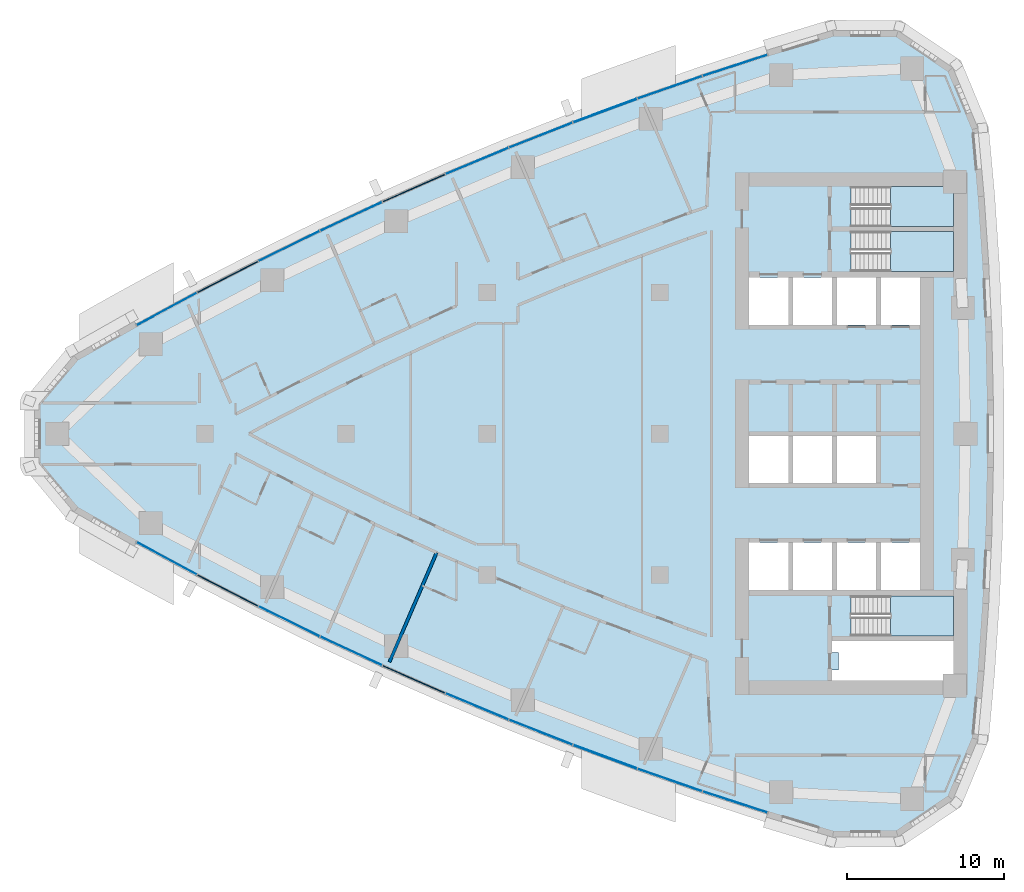
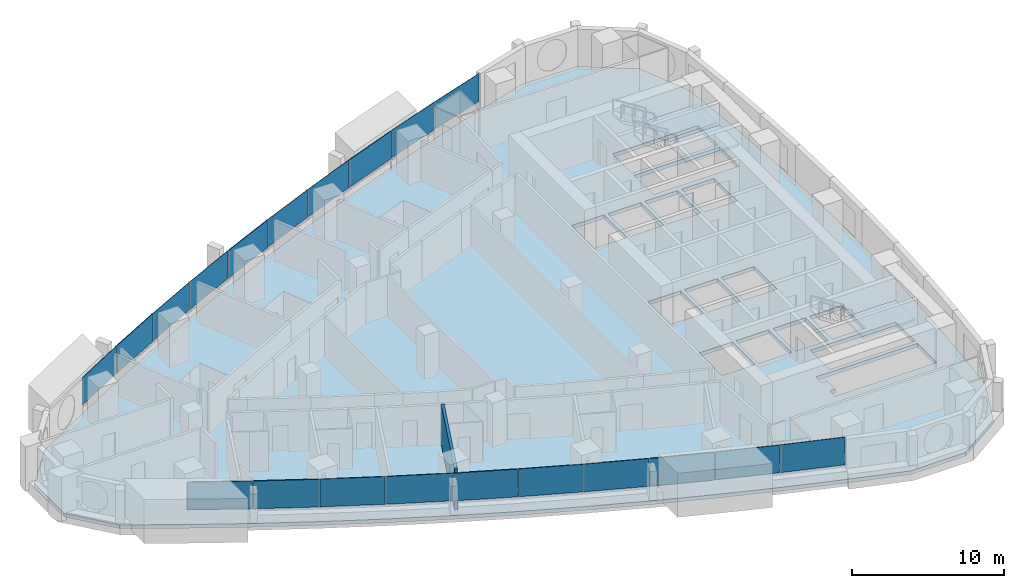
# One storey, part 7 of 17: 20 plates, 4 slabs, 1 wall, 1 opening, 13 elements without a shape of their own.
"""IFC4 building model written with IfcOpenShell, lengths in metres."""

from ifc_helpers import new_model, si_unit, direction, frame, frame_2d, origin, origin_2d, place, context, subcontext, project, spatial, polyline, rectangle, outline, extrude, material, layer, layer_set, type_object, element, aggregate, save


model = new_model("IFC4")

# Units and contexts
model_context = context("Model", 3, precision=1e-05, world=origin(), true_north=direction((0.0, 1.0)))
body_context = subcontext(model_context, "Body", "Model", "MODEL_VIEW")
ifc_project = project(units=[si_unit("LENGTHUNIT", "METRE"), si_unit("AREAUNIT", "SQUARE_METRE"), si_unit("VOLUMEUNIT", "CUBIC_METRE"), si_unit("PLANEANGLEUNIT", "RADIAN"), si_unit("MASSUNIT", "GRAM", prefix="KILO")], contexts=[model_context])

# Site, building, storey
site_placement = place(None, origin())
site = spatial("IfcSite", under=ifc_project, at=site_placement, CompositionType="ELEMENT")
building_placement = place(site_placement, origin())
building = spatial("IfcBuilding", under=site, at=building_placement, Name="Ostrand Prow Hotel Tower", CompositionType="ELEMENT")
storey_placement = place(building_placement, frame((0.0, 0.0, 155.050048828125)))
storey = spatial("IfcBuildingStorey", under=building, at=storey_placement, Name="L38", CompositionType="ELEMENT", Elevation=155.050048828125)

# Curtain wall, plate
ifc_material_1 = material(Name="Insulated glass in bronze anodised frame", Category="glass")
ifc_layer_1 = layer(ifc_material_1, 0.199951171875)
ifc_layer_set_1 = layer_set([ifc_layer_1], Name="Insulated glass in bronze anodised frame")
curtain_wall_type = type_object("IfcCurtainWallType", Name="Strip curtain wall, fritted glass over bronze spandrel", PredefinedType="NOTDEFINED", material=ifc_layer_set_1)
curtain_wall_1_placement = place(storey_placement, origin())
curtain_wall_1 = element("IfcCurtainWall", 1, at=curtain_wall_1_placement, inside=storey, type_object=curtain_wall_type, Name="CW1 run CWS1", PredefinedType="NOTDEFINED")
ifc_material_2 = material(Name="Ceramic-fritted glass", Category="glass")
ifc_layer_2 = layer(ifc_material_2, 0.031982421875)
ifc_layer_set_2 = layer_set([ifc_layer_2], Name="Ceramic-fritted glass")
plate_type_1 = type_object("IfcPlateType", Name="Dot-fritted ceramic glass unit 32 mm", PredefinedType="CURTAIN_PANEL", material=ifc_layer_set_2)
plate_1_placement = place(storey_placement, frame((13.572509765625, -7.951904296875, 1.02001953125), z_axis=(0.0, 0.0, 1.0), x_axis=(0.879773060847, -0.475393901316, 0.0)))
plate_1 = element("IfcPlate", 2, at=plate_1_placement, type_object=plate_type_1, Name="CW1 PN-D panel 1.2", PredefinedType="CURTAIN_PANEL", context=body_context, shape_type="SweptSolid", body=[
    extrude(rectangle(XDim=4.326171875, YDim=0.031982421875, at=origin_2d()), origin(), (0.0, 0.0, 1.0), 2.22998046875),
])

# Curtain wall, plates
curtain_wall_2_placement = place(storey_placement, origin())
curtain_wall_2 = element("IfcCurtainWall", 3, at=curtain_wall_2_placement, inside=storey, type_object=curtain_wall_type, Name="CW1 run CWS2", PredefinedType="NOTDEFINED")
plate_2_placement = place(storey_placement, frame((21.371337890625, -11.9658203125, 1.02001953125), z_axis=(0.0, 0.0, 1.0), x_axis=(0.898164975061, -0.439658592061, 0.0)))
plate_2 = element("IfcPlate", 4, at=plate_2_placement, type_object=plate_type_1, Name="CW1 PN-D panel 1.2", PredefinedType="CURTAIN_PANEL", context=body_context, shape_type="SweptSolid", body=[
    extrude(rectangle(XDim=4.326171875, YDim=0.031982421875, at=origin_2d()), origin(), (0.0, 0.0, 1.0), 2.22998046875),
])
plate_3_placement = place(storey_placement, frame((25.329833984375, -13.8544921875, 1.02001953125), z_axis=(0.0, 0.0, 1.0), x_axis=(0.906818286337, -0.421521761673, 0.0)))
plate_3 = element("IfcPlate", 5, at=plate_3_placement, type_object=plate_type_1, Name="CW1 PN-D panel 2.2", PredefinedType="CURTAIN_PANEL", context=body_context, shape_type="SweptSolid", body=[
    extrude(rectangle(XDim=4.326171875, YDim=0.031982421875, at=origin_2d()), origin(), (0.0, 0.0, 1.0), 2.22998046875),
])
aggregate(curtain_wall_2, [plate_2, plate_3])

# Curtain wall, plate
curtain_wall_3_placement = place(storey_placement, origin())
curtain_wall_3 = element("IfcCurtainWall", 6, at=curtain_wall_3_placement, inside=storey, type_object=curtain_wall_type, Name="CW1 run CWS3", PredefinedType="NOTDEFINED")
plate_4_placement = place(storey_placement, frame((33.3564453125, -17.39111328125, 1.02001953125), z_axis=(0.0, 0.0, 1.0), x_axis=(0.92302364777, -0.384743220418, 0.0)))
plate_4 = element("IfcPlate", 7, at=plate_4_placement, type_object=plate_type_1, Name="CW1 PN-D panel 2.2", PredefinedType="CURTAIN_PANEL", context=body_context, shape_type="SweptSolid", body=[
    extrude(rectangle(XDim=4.326171875, YDim=0.031982421875, at=origin_2d()), origin(), (0.0, 0.0, 1.0), 2.22998046875),
])

curtain_wall_4_placement = place(storey_placement, origin())
curtain_wall_4 = element("IfcCurtainWall", 8, at=curtain_wall_4_placement, inside=storey, type_object=curtain_wall_type, Name="CW1 run CWS4", PredefinedType="NOTDEFINED")
plate_5_placement = place(storey_placement, frame((37.42138671875, -19.037841796875, 1.02001953125), z_axis=(0.0, 0.0, 1.0), x_axis=(0.930569089059, -0.366116334636, 0.0)))
plate_5 = element("IfcPlate", 9, at=plate_5_placement, type_object=plate_type_1, Name="CW1 PN-D panel 1.2", PredefinedType="CURTAIN_PANEL", context=body_context, shape_type="SweptSolid", body=[
    extrude(rectangle(XDim=4.326171875, YDim=0.031982421875, at=origin_2d()), origin(), (0.0, 0.0, 1.0), 2.22998046875),
])

# Curtain wall, plates
curtain_wall_5_placement = place(storey_placement, origin())
curtain_wall_5 = element("IfcCurtainWall", 10, at=curtain_wall_5_placement, inside=storey, type_object=curtain_wall_type, Name="CW1 run CWS5", PredefinedType="NOTDEFINED")
plate_6_placement = place(storey_placement, frame((45.646484375, -22.08447265625, 1.02001953125), z_axis=(0.0, 0.0, 1.0), x_axis=(0.944528947293, -0.328428177424, 0.0)))
plate_6 = element("IfcPlate", 11, at=plate_6_placement, type_object=plate_type_1, Name="CW1 PN-D panel 1.2", PredefinedType="CURTAIN_PANEL", context=body_context, shape_type="SweptSolid", body=[
    extrude(rectangle(XDim=4.326171875, YDim=0.031982421875, at=origin_2d()), origin(), (0.0, 0.0, 1.0), 2.22998046875),
])
plate_7_placement = place(storey_placement, frame((49.803466796875, -23.483154296875, 1.02001953125), z_axis=(0.0, 0.0, 1.0), x_axis=(0.950938332153, -0.309380491373, 0.0)))
plate_7 = element("IfcPlate", 12, at=plate_7_placement, type_object=plate_type_1, Name="CW1 PN-D panel 2.2", PredefinedType="CURTAIN_PANEL", context=body_context, shape_type="SweptSolid", body=[
    extrude(rectangle(XDim=4.326171875, YDim=0.031982421875, at=origin_2d()), origin(), (0.0, 0.0, 1.0), 2.22998046875),
])
aggregate(curtain_wall_5, [plate_6, plate_7])

curtain_wall_6_placement = place(storey_placement, origin())
curtain_wall_6 = element("IfcCurtainWall", 13, at=curtain_wall_6_placement, inside=storey, type_object=curtain_wall_type, Name="CW1 run CWN1", PredefinedType="NOTDEFINED")
plate_8_placement = place(storey_placement, frame((49.803466796875, 23.483154296875, 1.02001953125), z_axis=(0.0, 0.0, 1.0), x_axis=(-0.950938332153, -0.309380491373, 0.0)))
plate_8 = element("IfcPlate", 14, at=plate_8_placement, type_object=plate_type_1, Name="CW1 PN-D panel 1.2", PredefinedType="CURTAIN_PANEL", context=body_context, shape_type="SweptSolid", body=[
    extrude(rectangle(XDim=4.326171875, YDim=0.031982421875, at=origin_2d()), origin(), (0.0, 0.0, 1.0), 2.22998046875),
])
plate_9_placement = place(storey_placement, frame((45.646484375, 22.08447265625, 1.02001953125), z_axis=(0.0, 0.0, 1.0), x_axis=(-0.944528947293, -0.328428177424, 0.0)))
plate_9 = element("IfcPlate", 15, at=plate_9_placement, type_object=plate_type_1, Name="CW1 PN-D panel 2.2", PredefinedType="CURTAIN_PANEL", context=body_context, shape_type="SweptSolid", body=[
    extrude(rectangle(XDim=4.326171875, YDim=0.031982421875, at=origin_2d()), origin(), (0.0, 0.0, 1.0), 2.22998046875),
])
aggregate(curtain_wall_6, [plate_8, plate_9])

# Curtain wall, plate
curtain_wall_7_placement = place(storey_placement, origin())
curtain_wall_7 = element("IfcCurtainWall", 16, at=curtain_wall_7_placement, inside=storey, type_object=curtain_wall_type, Name="CW1 run CWN2", PredefinedType="NOTDEFINED")
plate_10_placement = place(storey_placement, frame((37.42138671875, 19.037841796875, 1.02001953125), z_axis=(0.0, 0.0, 1.0), x_axis=(-0.930569089059, -0.366116334636, 0.0)))
plate_10 = element("IfcPlate", 17, at=plate_10_placement, type_object=plate_type_1, Name="CW1 PN-D panel 2.2", PredefinedType="CURTAIN_PANEL", context=body_context, shape_type="SweptSolid", body=[
    extrude(rectangle(XDim=4.326171875, YDim=0.031982421875, at=origin_2d()), origin(), (0.0, 0.0, 1.0), 2.22998046875),
])

curtain_wall_8_placement = place(storey_placement, origin())
curtain_wall_8 = element("IfcCurtainWall", 18, at=curtain_wall_8_placement, inside=storey, type_object=curtain_wall_type, Name="CW1 run CWN3", PredefinedType="NOTDEFINED")
plate_11_placement = place(storey_placement, frame((33.3564453125, 17.39111328125, 1.02001953125), z_axis=(0.0, 0.0, 1.0), x_axis=(-0.92302364777, -0.384743220418, 0.0)))
plate_11 = element("IfcPlate", 19, at=plate_11_placement, type_object=plate_type_1, Name="CW1 PN-D panel 1.2", PredefinedType="CURTAIN_PANEL", context=body_context, shape_type="SweptSolid", body=[
    extrude(rectangle(XDim=4.326171875, YDim=0.031982421875, at=origin_2d()), origin(), (0.0, 0.0, 1.0), 2.22998046875),
])

# Curtain wall, plates
curtain_wall_9_placement = place(storey_placement, origin())
curtain_wall_9 = element("IfcCurtainWall", 20, at=curtain_wall_9_placement, inside=storey, type_object=curtain_wall_type, Name="CW1 run CWN4", PredefinedType="NOTDEFINED")
plate_12_placement = place(storey_placement, frame((25.329833984375, 13.8544921875, 1.02001953125), z_axis=(0.0, 0.0, 1.0), x_axis=(-0.906818286337, -0.421521761673, 0.0)))
plate_12 = element("IfcPlate", 21, at=plate_12_placement, type_object=plate_type_1, Name="CW1 PN-D panel 1.2", PredefinedType="CURTAIN_PANEL", context=body_context, shape_type="SweptSolid", body=[
    extrude(rectangle(XDim=4.326171875, YDim=0.031982421875, at=origin_2d()), origin(), (0.0, 0.0, 1.0), 2.22998046875),
])
plate_13_placement = place(storey_placement, frame((21.371337890625, 11.9658203125, 1.02001953125), z_axis=(0.0, 0.0, 1.0), x_axis=(-0.898164975061, -0.439658592061, 0.0)))
plate_13 = element("IfcPlate", 22, at=plate_13_placement, type_object=plate_type_1, Name="CW1 PN-D panel 2.2", PredefinedType="CURTAIN_PANEL", context=body_context, shape_type="SweptSolid", body=[
    extrude(rectangle(XDim=4.326171875, YDim=0.031982421875, at=origin_2d()), origin(), (0.0, 0.0, 1.0), 2.22998046875),
])
aggregate(curtain_wall_9, [plate_12, plate_13])

# Curtain wall, plate
curtain_wall_10_placement = place(storey_placement, origin())
curtain_wall_10 = element("IfcCurtainWall", 23, at=curtain_wall_10_placement, inside=storey, type_object=curtain_wall_type, Name="CW1 run CWN5", PredefinedType="NOTDEFINED")
plate_14_placement = place(storey_placement, frame((13.572509765625, 7.951904296875, 1.02001953125), z_axis=(0.0, 0.0, 1.0), x_axis=(-0.879773060847, -0.475393901316, 0.0)))
plate_14 = element("IfcPlate", 24, at=plate_14_placement, type_object=plate_type_1, Name="CW1 PN-D panel 2.2", PredefinedType="CURTAIN_PANEL", context=body_context, shape_type="SweptSolid", body=[
    extrude(rectangle(XDim=4.326171875, YDim=0.031982421875, at=origin_2d()), origin(), (0.0, 0.0, 1.0), 2.22998046875),
])

# Plate
ifc_material_3 = material(Name="Fritted glass in bronze vent frame", Category="glass")
ifc_layer_3 = layer(ifc_material_3, 0.06005859375)
ifc_layer_set_3 = layer_set([ifc_layer_3], Name="Fritted glass in bronze vent frame")
plate_type_2 = type_object("IfcPlateType", Name="Operable vent panel 60 mm", PredefinedType="CURTAIN_PANEL", material=ifc_layer_set_3)
plate_15_placement = place(storey_placement, frame((17.45166015625, -9.998046875, 1.02001953125), z_axis=(0.0, 0.0, 1.0), x_axis=(0.889148164146, -0.457619429434, 0.0)))
plate_15 = element("IfcPlate", 25, at=plate_15_placement, type_object=plate_type_2, Name="CW1 PN-O panel 2.2", PredefinedType="CURTAIN_PANEL", context=body_context, shape_type="SweptSolid", body=[
    extrude(rectangle(XDim=4.326171875, YDim=0.06005859375, at=origin_2d()), origin(), (0.0, 0.0, 1.0), 2.22998046875),
])

aggregate(curtain_wall_1, [plate_1, plate_15])

plate_16_placement = place(storey_placement, frame((29.3251953125, -15.6630859375, 1.02001953125), z_axis=(0.0, 0.0, 1.0), x_axis=(0.915106105993, -0.403213113347, 0.0)))
plate_16 = element("IfcPlate", 26, at=plate_16_placement, type_object=plate_type_2, Name="CW1 PN-O panel 1.2", PredefinedType="CURTAIN_PANEL", context=body_context, shape_type="SweptSolid", body=[
    extrude(rectangle(XDim=4.326171875, YDim=0.06005859375, at=origin_2d()), origin(), (0.0, 0.0, 1.0), 2.22998046875),
])

aggregate(curtain_wall_3, [plate_16, plate_4])

plate_17_placement = place(storey_placement, frame((41.518798828125, -20.6025390625, 1.02001953125), z_axis=(0.0, 0.0, 1.0), x_axis=(0.937738678558, -0.347341576459, 0.0)))
plate_17 = element("IfcPlate", 27, at=plate_17_placement, type_object=plate_type_2, Name="CW1 PN-O panel 2.2", PredefinedType="CURTAIN_PANEL", context=body_context, shape_type="SweptSolid", body=[
    extrude(rectangle(XDim=4.326171875, YDim=0.06005859375, at=origin_2d()), origin(), (0.0, 0.0, 1.0), 2.22998046875),
])

aggregate(curtain_wall_4, [plate_5, plate_17])

plate_18_placement = place(storey_placement, frame((41.518798828125, 20.6025390625, 1.02001953125), z_axis=(0.0, 0.0, 1.0), x_axis=(-0.937738678558, -0.347341576459, 0.0)))
plate_18 = element("IfcPlate", 28, at=plate_18_placement, type_object=plate_type_2, Name="CW1 PN-O panel 1.2", PredefinedType="CURTAIN_PANEL", context=body_context, shape_type="SweptSolid", body=[
    extrude(rectangle(XDim=4.326171875, YDim=0.06005859375, at=origin_2d()), origin(), (0.0, 0.0, 1.0), 2.22998046875),
])

aggregate(curtain_wall_7, [plate_18, plate_10])

plate_19_placement = place(storey_placement, frame((29.3251953125, 15.6630859375, 1.02001953125), z_axis=(0.0, 0.0, 1.0), x_axis=(-0.915106105993, -0.403213113347, 0.0)))
plate_19 = element("IfcPlate", 29, at=plate_19_placement, type_object=plate_type_2, Name="CW1 PN-O panel 2.2", PredefinedType="CURTAIN_PANEL", context=body_context, shape_type="SweptSolid", body=[
    extrude(rectangle(XDim=4.326171875, YDim=0.06005859375, at=origin_2d()), origin(), (0.0, 0.0, 1.0), 2.22998046875),
])

aggregate(curtain_wall_8, [plate_11, plate_19])

plate_20_placement = place(storey_placement, frame((17.45166015625, 9.998046875, 1.02001953125), z_axis=(0.0, 0.0, 1.0), x_axis=(-0.889148164146, -0.457619429434, 0.0)))
plate_20 = element("IfcPlate", 30, at=plate_20_placement, type_object=plate_type_2, Name="CW1 PN-O panel 1.2", PredefinedType="CURTAIN_PANEL", context=body_context, shape_type="SweptSolid", body=[
    extrude(rectangle(XDim=4.326171875, YDim=0.06005859375, at=origin_2d()), origin(), (0.0, 0.0, 1.0), 2.22998046875),
])

aggregate(curtain_wall_10, [plate_20, plate_14])

# Slab, opening
ifc_material_4 = material(Name="Concrete C40/50", Category="concrete")
ifc_layer_4 = layer(ifc_material_4, 0.300048828125)
ifc_layer_set_4 = layer_set([ifc_layer_4], Name="Concrete C40/50")
slab_type_1 = type_object("IfcSlabType", Name="PT flat plate 300 C40/50", PredefinedType="FLOOR", material=ifc_layer_set_4)
slab_1_placement = place(storey_placement, frame((0.0, 0.0, -0.300048828125)))
slab_1 = element("IfcSlab", 31, at=slab_1_placement, inside=storey, type_object=slab_type_1, Name="Floor slab L38-1", PredefinedType="FLOOR", context=body_context, shape_type="SweptSolid", body=[
    extrude(outline(polyline([(7.658203125, 4.952880859375), (11.51611328125, 7.138916015625), (15.37939453125, 9.2265625), (19.283935546875, 11.236083984375), (23.228271484375, 13.166748046875), (27.210205078125, 15.017822265625), (31.22900390625, 16.788330078125), (35.2822265625, 18.47802734375), (39.36865234375, 20.085693359375), (43.486572265625, 21.611083984375), (47.63427734375, 23.05322265625), (51.810302734375, 24.411865234375), (56.046630859375, 25.696533203125), (60.193115234375, 25.6640625), (63.664306640625, 23.328125), (65.256103515625, 19.498779296875), (65.650390625, 15.148681640625), (65.944091796875, 10.825927734375), (66.139892578125, 6.497802734375), (66.23779296875, 2.166259765625), (66.23779296875, -2.166259765625), (66.139892578125, -6.497802734375), (65.944091796875, -10.825927734375), (65.650390625, -15.148681640625), (65.256103515625, -19.498779296875), (63.664306640625, -23.328125), (60.193115234375, -25.6640625), (56.046630859375, -25.696533203125), (51.810302734375, -24.411865234375), (47.63427734375, -23.05322265625), (43.486572265625, -21.611083984375), (39.36865234375, -20.085693359375), (35.2822265625, -18.47802734375), (31.22900390625, -16.788330078125), (27.210205078125, -15.017822265625), (23.228271484375, -13.166748046875), (19.283935546875, -11.236083984375), (15.37939453125, -9.2265625), (11.51611328125, -7.138916015625), (7.658203125, -4.952880859375), (5.16064453125, -1.968505859375), (5.16064453125, 1.968505859375), (7.658203125, 4.952880859375)]), holes=[polyline([(50.699951171875, 6.949951171875), (53.199951171875, 6.949951171875), (53.199951171875, 9.949951171875), (50.699951171875, 9.949951171875), (50.699951171875, 6.949951171875)]), polyline([(53.5, 6.949951171875), (56.0, 6.949951171875), (56.0, 9.949951171875), (53.5, 9.949951171875), (53.5, 6.949951171875)]), polyline([(56.300048828125, 6.949951171875), (58.800048828125, 6.949951171875), (58.800048828125, 9.949951171875), (56.300048828125, 9.949951171875), (56.300048828125, 6.949951171875)]), polyline([(59.10009765625, 6.949951171875), (61.60009765625, 6.949951171875), (61.60009765625, 9.949951171875), (59.10009765625, 9.949951171875), (59.10009765625, 6.949951171875)]), polyline([(50.699951171875, -3.14990234375), (53.199951171875, -3.14990234375), (53.199951171875, -0.14990234375), (50.699951171875, -0.14990234375), (50.699951171875, -3.14990234375)]), polyline([(53.5, -3.14990234375), (56.0, -3.14990234375), (56.0, -0.14990234375), (53.5, -0.14990234375), (53.5, -3.14990234375)]), polyline([(56.300048828125, -3.14990234375), (58.800048828125, -3.14990234375), (58.800048828125, -0.14990234375), (56.300048828125, -0.14990234375), (56.300048828125, -3.14990234375)]), polyline([(50.699951171875, -9.949951171875), (53.199951171875, -9.949951171875), (53.199951171875, -6.949951171875), (50.699951171875, -6.949951171875), (50.699951171875, -9.949951171875)]), polyline([(53.5, -9.949951171875), (56.0, -9.949951171875), (56.0, -6.949951171875), (53.5, -6.949951171875), (53.5, -9.949951171875)]), polyline([(56.300048828125, -9.949951171875), (58.800048828125, -9.949951171875), (58.800048828125, -6.949951171875), (56.300048828125, -6.949951171875), (56.300048828125, -9.949951171875)]), polyline([(59.10009765625, -9.949951171875), (61.60009765625, -9.949951171875), (61.60009765625, -6.949951171875), (59.10009765625, -6.949951171875), (59.10009765625, -9.949951171875)]), polyline([(57.200927734375, 10.35107421875), (57.200927734375, 12.89892578125), (63.718994140625, 12.89892578125), (63.718994140625, 10.35107421875), (57.200927734375, 10.35107421875)]), polyline([(57.200927734375, 13.200927734375), (57.200927734375, 15.7490234375), (63.718994140625, 15.7490234375), (63.718994140625, 13.200927734375), (57.200927734375, 13.200927734375)]), polyline([(57.200927734375, -12.89892578125), (57.200927734375, -10.35107421875), (63.718994140625, -10.35107421875), (63.718994140625, -12.89892578125), (57.200927734375, -12.89892578125)]), polyline([(56.0, -13.199951171875), (63.719970703125, -13.199951171875), (63.719970703125, -15.75), (56.0, -15.75), (56.0, -15.050048828125), (56.39990234375, -15.050048828125), (56.39990234375, -13.949951171875), (56.0, -13.949951171875), (56.0, -13.199951171875)])]), origin(), (0.0, 0.0, 1.0), 0.300048828125),
])
opening_placement = place(slab_1_placement, origin())
element("IfcOpeningElement", 32, at=opening_placement, cuts=slab_1, Name="Shaft opening 1", PredefinedType="OPENING", context=body_context, shape_type="SweptSolid", body=[
    extrude(outline(polyline([(56.0, -13.199951171875), (63.719970703125, -13.199951171875), (63.719970703125, -15.75), (56.0, -15.75), (56.0, -15.050048828125), (56.39990234375, -15.050048828125), (56.39990234375, -13.949951171875), (56.0, -13.949951171875), (56.0, -13.199951171875)])), origin(), (0.0, 0.0, 1.0), 0.300048828125),
])

# Stair, slab
ifc_material_5 = material(Name="Concrete C40/50", Category="concrete")
stair_type = type_object("IfcStairType", Name="Exit stair 1200 upper zone", PredefinedType="HALF_TURN_STAIR", material=ifc_material_5)
stair_1_placement = place(storey_placement, origin())
stair_1 = element("IfcStair", 33, at=stair_1_placement, inside=storey, type_object=stair_type, Name="L38 ST1C", PredefinedType="HALF_TURN_STAIR")
ifc_material_6 = material(Name="Concrete C40/50", Category="concrete")
ifc_layer_5 = layer(ifc_material_6, 0.199951171875)
ifc_layer_set_5 = layer_set([ifc_layer_5], Name="Concrete C40/50")
slab_type_2 = type_object("IfcSlabType", Name="Stair landing 200 concrete", PredefinedType="LANDING", material=ifc_layer_set_5)
slab_2_placement = place(storey_placement, frame((0.0, 0.0, 1.574951171875)))
slab_2 = element("IfcSlab", 34, at=slab_2_placement, type_object=slab_type_2, Name="ST1C landing 1", PredefinedType="LANDING", context=body_context, shape_type="SweptSolid", body=[
    extrude(outline(polyline([(59.719970703125, 10.35009765625), (63.719970703125, 10.35009765625), (63.719970703125, 12.89990234375), (59.719970703125, 12.89990234375), (59.719970703125, 10.35009765625)])), origin(), (0.0, 0.0, 1.0), 0.199951171875),
])
aggregate(stair_1, [slab_2])

stair_2_placement = place(storey_placement, origin())
stair_2 = element("IfcStair", 35, at=stair_2_placement, inside=storey, type_object=stair_type, Name="L38 ST3C", PredefinedType="HALF_TURN_STAIR")
slab_3_placement = place(storey_placement, frame((0.0, 0.0, 1.574951171875)))
slab_3 = element("IfcSlab", 36, at=slab_3_placement, type_object=slab_type_2, Name="ST3C landing 1", PredefinedType="LANDING", context=body_context, shape_type="SweptSolid", body=[
    extrude(outline(polyline([(59.719970703125, 13.199951171875), (63.719970703125, 13.199951171875), (63.719970703125, 15.75), (59.719970703125, 15.75), (59.719970703125, 13.199951171875)])), origin(), (0.0, 0.0, 1.0), 0.199951171875),
])
aggregate(stair_2, [slab_3])

stair_3_placement = place(storey_placement, origin())
stair_3 = element("IfcStair", 37, at=stair_3_placement, inside=storey, type_object=stair_type, Name="L38 ST2C", PredefinedType="HALF_TURN_STAIR")
slab_4_placement = place(storey_placement, frame((0.0, 0.0, 1.574951171875)))
slab_4 = element("IfcSlab", 38, at=slab_4_placement, type_object=slab_type_2, Name="ST2C landing 1", PredefinedType="LANDING", context=body_context, shape_type="SweptSolid", body=[
    extrude(outline(polyline([(59.719970703125, -12.89990234375), (63.719970703125, -12.89990234375), (63.719970703125, -10.35009765625), (59.719970703125, -10.35009765625), (59.719970703125, -12.89990234375)])), origin(), (0.0, 0.0, 1.0), 0.199951171875),
])
aggregate(stair_3, [slab_4])

# Wall
ifc_material_7 = material(Name="Plasterboard partition")
ifc_layer_6 = layer(ifc_material_7, 0.199951171875)
ifc_layer_set_6 = layer_set([ifc_layer_6], Name="Plasterboard partition")
wall_type = type_object("IfcWallType", Name="Partition 200 key partition", PredefinedType="PARTITIONING", material=ifc_layer_set_6)
wall_placement = place(storey_placement, frame((27.770751953125, -14.554443359375, 0.0), z_axis=(0.0, 0.0, 1.0), x_axis=(0.396004020147, 0.918248776763, 0.0)))
element("IfcWall", 39, at=wall_placement, inside=storey, type_object=wall_type, Name="KEY PARTITION", PredefinedType="PARTITIONING", context=body_context, shape_type="SweptSolid", body=[
    extrude(rectangle(XDim=7.600341796875, YDim=0.199951171875, at=frame_2d((3.80029296875, 0.0))), origin(), (0.0, 0.0, 1.0), 3.25),
])

save(model, "model.ifc")
